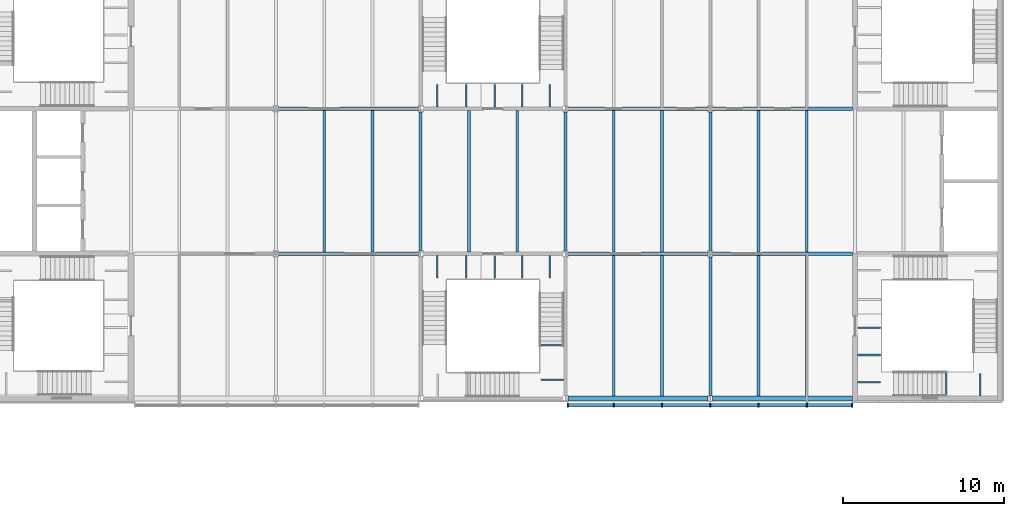
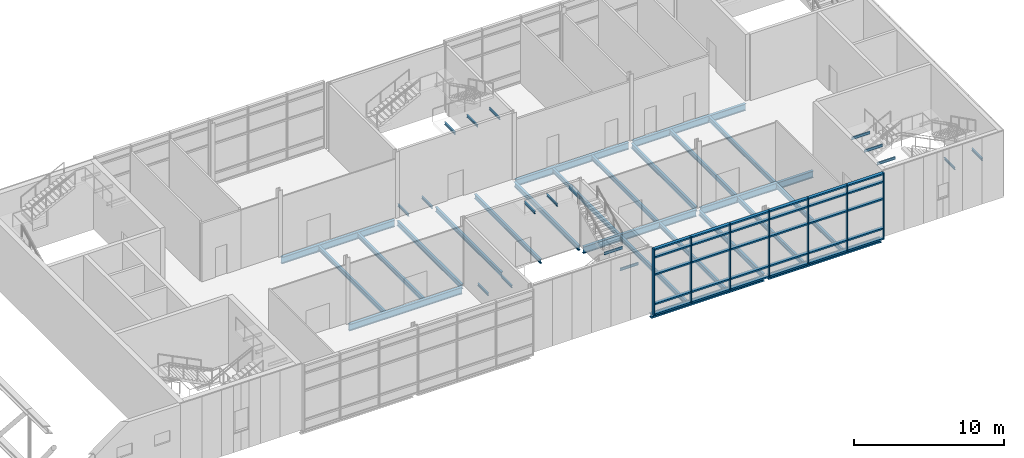
# One storey, part 25 of 53: 41 beams, 37 members, 1 element without a shape of its own.
"""IFC4 building model written with IfcOpenShell, lengths in metres."""

from ifc_helpers import new_model, si_unit, direction, frame, origin, origin_2d, place, context, subcontext, project, spatial, rectangle, i_section, extrude, material, material_profile, profile_set, type_object, element, aggregate, save


model = new_model("IFC4")

# Units and contexts
model_context = context("Model", 3, precision=1e-05, world=origin(), true_north=direction((0.0, 1.0)))
body_context = subcontext(model_context, "Body", "Model", "MODEL_VIEW")
ifc_project = project(units=[si_unit("LENGTHUNIT", "METRE"), si_unit("AREAUNIT", "SQUARE_METRE"), si_unit("VOLUMEUNIT", "CUBIC_METRE"), si_unit("PLANEANGLEUNIT", "RADIAN"), si_unit("MASSUNIT", "GRAM", prefix="KILO")], contexts=[model_context])

# Site, building, storey
site_placement = place(None, origin())
site = spatial("IfcSite", under=ifc_project, at=site_placement, CompositionType="ELEMENT")
building_placement = place(site_placement, origin())
building = spatial("IfcBuilding", under=site, at=building_placement, Name="Azimuth Sports and Learning Centre", CompositionType="ELEMENT")
storey_placement = place(building_placement, frame((0.0, 0.0, 10.800048828125)))
storey = spatial("IfcBuildingStorey", under=building, at=storey_placement, Name="L02", CompositionType="ELEMENT", Elevation=10.800048828125)

# Beams
ifc_material_1 = material(Name="Steel S355", Category="steel")
ifc_material_profile_1 = material_profile(ifc_material_1, i_section(OverallWidth=0.10009765625, OverallDepth=0.199951171875, WebThickness=0.005615234375, FlangeThickness=0.008544921875, FilletRadius=0.011962890625, at=origin_2d()), Name="IPE 200")
ifc_profile_set_1 = profile_set([ifc_material_profile_1], Name="Steel S355")
beam_type_1 = type_object("IfcBeamType", Name="Beam IPE 200", PredefinedType="BEAM", material=ifc_profile_set_1)
for number, where, z_axis, x_axis, name in (
    (1, (167.652587890625, 90.14990234375, 3.300048828125), (0.0, 1.0, 0.0), (-1.0, 0.0, 0.0), "Landing bracket EW1 L02 801"),
    (2, (169.777587890625, 90.14990234375, 3.300048828125), (0.0, 1.0, 0.0), (-1.0, 0.0, 0.0), "Landing bracket EW1 L02 802"),
    (3, (162.14990234375, 91.00830078125, 5.099853515625), (1.0, 0.0, 0.0), (0.0, 1.0, 0.0), "Landing bracket EW1 L02 803"),
    (4, (162.14990234375, 92.705078125, 5.099853515625), (1.0, 0.0, 0.0), (0.0, 1.0, 0.0), "Landing bracket EW1 L02 804"),
    (5, (162.14990234375, 94.401611328125, 5.099853515625), (1.0, 0.0, 0.0), (0.0, 1.0, 0.0), "Landing bracket EW1 L02 805"),
):
    element("IfcBeam", number, at=place(storey_placement, frame(where, z_axis=z_axis, x_axis=x_axis)), inside=storey, type_object=beam_type_1, Name=name, PredefinedType="BEAM", context=body_context, shape_type="SweptSolid", body=[
        extrude(i_section(OverallWidth=0.10009765625, OverallDepth=0.199951171875, WebThickness=0.005615234375, FlangeThickness=0.008544921875, FilletRadius=0.011962890625, at=origin_2d()), origin(), (0.0, 0.0, 1.0), 1.41015625),
    ])
for number, where, z_axis, x_axis, name in (
    (6, (136.02001953125, 98.89990234375, -0.300048828125), (0.0, -1.0, 0.0), (1.0, 0.0, 0.0), "Landing bracket EM1 L02 933"),
    (7, (137.840087890625, 98.89990234375, -0.300048828125), (0.0, -1.0, 0.0), (1.0, 0.0, 0.0), "Landing bracket EM1 L02 934"),
    (8, (143.89990234375, 91.172607421875, 3.300048828125), (-1.0, 0.0, 0.0), (0.0, -1.0, 0.0), "Landing bracket EM1 L02 937"),
    (9, (143.89990234375, 93.297607421875, 3.300048828125), (-1.0, 0.0, 0.0), (0.0, -1.0, 0.0), "Landing bracket EM1 L02 938"),
    (10, (139.606689453125, 98.89990234375, 5.099853515625), (0.0, -1.0, 0.0), (1.0, 0.0, 0.0), "Landing bracket EM1 L02 939"),
    (11, (141.320068359375, 98.89990234375, 5.099853515625), (0.0, -1.0, 0.0), (1.0, 0.0, 0.0), "Landing bracket EM1 L02 940"),
    (12, (143.033447265625, 98.89990234375, 5.099853515625), (0.0, -1.0, 0.0), (1.0, 0.0, 0.0), "Landing bracket EM1 L02 941"),
    (13, (136.02001953125, 108.10009765625, -0.300048828125), (0.0, 1.0, 0.0), (-1.0, 0.0, 0.0), "Landing bracket EM2 L02 967"),
    (14, (137.840087890625, 108.10009765625, -0.300048828125), (0.0, 1.0, 0.0), (-1.0, 0.0, 0.0), "Landing bracket EM2 L02 968"),
    (15, (139.606689453125, 108.10009765625, 5.099853515625), (0.0, 1.0, 0.0), (-1.0, 0.0, 0.0), "Landing bracket EM2 L02 973"),
    (16, (141.320068359375, 108.10009765625, 5.099853515625), (0.0, 1.0, 0.0), (-1.0, 0.0, 0.0), "Landing bracket EM2 L02 974"),
    (17, (143.033447265625, 108.10009765625, 5.099853515625), (0.0, 1.0, 0.0), (-1.0, 0.0, 0.0), "Landing bracket EM2 L02 975"),
):
    element("IfcBeam", number, at=place(storey_placement, frame(where, z_axis=z_axis, x_axis=x_axis)), inside=storey, type_object=beam_type_1, Name=name, PredefinedType="BEAM", context=body_context, shape_type="SweptSolid", body=[
        extrude(i_section(OverallWidth=0.10009765625, OverallDepth=0.199951171875, WebThickness=0.005615234375, FlangeThickness=0.008544921875, FilletRadius=0.011962890625, at=origin_2d()), origin(), (0.0, 0.0, 1.0), 1.409912109375),
    ])
ifc_material_2 = material(Name="Steel S355", Category="steel")
ifc_material_profile_2 = material_profile(ifc_material_2, i_section(OverallWidth=0.179931640625, OverallDepth=0.39990234375, WebThickness=0.008544921875, FlangeThickness=0.013427734375, FilletRadius=0.02099609375, at=origin_2d()), Name="IPE 400")
ifc_profile_set_2 = profile_set([ifc_material_profile_2], Name="Steel S355")
beam_type_2 = type_object("IfcBeamType", Name="Beam IPE 400", PredefinedType="BEAM", material=ifc_profile_set_2)
for number, where, z_axis, x_axis, name in (
    (18, (135.0, 99.199951171875, -0.35009765625), (0.0, 1.0, 0.0), (-1.0, 0.0, 0.0), "Beam L02 WE 21"),
    (19, (144.0, 99.199951171875, -0.35009765625), (0.0, 1.0, 0.0), (-1.0, 0.0, 0.0), "Beam L02 WE 22"),
    (20, (153.0, 90.199951171875, -0.35009765625), (0.0, 1.0, 0.0), (-1.0, 0.0, 0.0), "Beam L02 WE 23"),
    (21, (153.0, 99.199951171875, -0.35009765625), (0.0, 1.0, 0.0), (-1.0, 0.0, 0.0), "Beam L02 WE 24"),
):
    element("IfcBeam", number, at=place(storey_placement, frame(where, z_axis=z_axis, x_axis=x_axis)), inside=storey, type_object=beam_type_2, Name=name, PredefinedType="BEAM", context=body_context, shape_type="SweptSolid", body=[
        extrude(i_section(OverallWidth=0.179931640625, OverallDepth=0.39990234375, WebThickness=0.008544921875, FlangeThickness=0.013427734375, FilletRadius=0.02099609375, at=origin_2d()), origin(), (0.0, 0.0, 1.0), 8.60009765625),
    ])
ifc_material_3 = material(Name="Steel S355", Category="steel")
ifc_material_profile_3 = material_profile(ifc_material_3, i_section(OverallWidth=0.2099609375, OverallDepth=0.550048828125, WebThickness=0.010986328125, FlangeThickness=0.01708984375, FilletRadius=0.02392578125, at=origin_2d()), Name="IPE 550")
ifc_profile_set_3 = profile_set([ifc_material_profile_3], Name="Steel S355")
beam_type_3 = type_object("IfcBeamType", Name="Beam IPE 550", PredefinedType="BEAM", material=ifc_profile_set_3)
for number, where, z_axis, x_axis, name in (
    (22, (126.14990234375, 99.0, -0.425048828125), (1.0, 0.0, 0.0), (0.0, 1.0, 0.0), "Beam L02 WE 6"),
    (23, (144.14990234375, 99.0, -0.425048828125), (1.0, 0.0, 0.0), (0.0, 1.0, 0.0), "Beam L02 WE 7"),
    (24, (153.14990234375, 99.0, -0.425048828125), (1.0, 0.0, 0.0), (0.0, 1.0, 0.0), "Beam L02 WE 8"),
    (25, (126.14990234375, 108.0, -0.425048828125), (1.0, 0.0, 0.0), (0.0, 1.0, 0.0), "Beam L02 WE 10"),
    (26, (144.14990234375, 108.0, -0.425048828125), (1.0, 0.0, 0.0), (0.0, 1.0, 0.0), "Beam L02 WE 11"),
    (27, (153.14990234375, 108.0, -0.425048828125), (1.0, 0.0, 0.0), (0.0, 1.0, 0.0), "Beam L02 WE 12"),
):
    element("IfcBeam", number, at=place(storey_placement, frame(where, z_axis=z_axis, x_axis=x_axis)), inside=storey, type_object=beam_type_3, Name=name, PredefinedType="BEAM", context=body_context, shape_type="SweptSolid", body=[
        extrude(i_section(OverallWidth=0.2099609375, OverallDepth=0.550048828125, WebThickness=0.010986328125, FlangeThickness=0.01708984375, FilletRadius=0.02392578125, at=origin_2d()), origin(), (0.0, 0.0, 1.0), 8.7001953125),
    ])
ifc_material_4 = material(Name="Steel S355", Category="steel")
ifc_material_profile_4 = material_profile(ifc_material_4, i_section(OverallWidth=0.300048828125, OverallDepth=0.330078125, WebThickness=0.009521484375, FlangeThickness=0.0166015625, FilletRadius=0.027099609375, at=origin_2d()), Name="HEA 340")
ifc_profile_set_4 = profile_set([ifc_material_profile_4], Name="Steel S355")
beam_type_4 = type_object("IfcBeamType", Name="Edge beam HEA 340", PredefinedType="SPANDREL", material=ifc_profile_set_4)
for number, where, z_axis, x_axis, name in (
    (28, (144.14990234375, 90.0, -0.31494140625), (1.0, 0.0, 0.0), (0.0, 1.0, 0.0), "Edge beam L02 WE 3"),
    (29, (153.14990234375, 90.0, -0.31494140625), (1.0, 0.0, 0.0), (0.0, 1.0, 0.0), "Edge beam L02 WE 4"),
):
    element("IfcBeam", number, at=place(storey_placement, frame(where, z_axis=z_axis, x_axis=x_axis)), inside=storey, type_object=beam_type_4, Name=name, PredefinedType="SPANDREL", context=body_context, shape_type="SweptSolid", body=[
        extrude(i_section(OverallWidth=0.300048828125, OverallDepth=0.330078125, WebThickness=0.009521484375, FlangeThickness=0.0166015625, FilletRadius=0.027099609375, at=origin_2d()), origin(), (0.0, 0.0, 1.0), 8.7001953125),
    ])
ifc_material_5 = material(Name="Steel S355", Category="steel")
ifc_material_profile_5 = material_profile(ifc_material_5, i_section(OverallWidth=0.169921875, OverallDepth=0.360107421875, WebThickness=0.008056640625, FlangeThickness=0.0126953125, FilletRadius=0.01806640625, at=origin_2d()), Name="IPE 360")
ifc_profile_set_5 = profile_set([ifc_material_profile_5], Name="Steel S355")
beam_type_5 = type_object("IfcBeamType", Name="Joist IPE 360", PredefinedType="JOIST", material=ifc_profile_set_5)
for number, where, z_axis, x_axis, name in (
    (30, (129.0, 99.10498046875, -0.330078125), (0.0, 1.0, 0.0), (-1.0, 0.0, 0.0), "Joist L02 WE 34"),
    (31, (132.0, 99.10498046875, -0.330078125), (0.0, 1.0, 0.0), (-1.0, 0.0, 0.0), "Joist L02 WE 37"),
):
    element("IfcBeam", number, at=place(storey_placement, frame(where, z_axis=z_axis, x_axis=x_axis)), inside=storey, type_object=beam_type_5, Name=name, PredefinedType="JOIST", context=body_context, shape_type="SweptSolid", body=[
        extrude(i_section(OverallWidth=0.169921875, OverallDepth=0.360107421875, WebThickness=0.008056640625, FlangeThickness=0.0126953125, FilletRadius=0.01806640625, at=origin_2d()), origin(), (0.0, 0.0, 1.0), 8.7900390625),
    ])
for number, where, z_axis, x_axis, name in (
    (32, (138.0, 99.10009765625, -0.330078125), (0.0, 1.0, 0.0), (-1.0, 0.0, 0.0), "Joist L02 WE 39"),
    (33, (141.0, 99.10009765625, -0.330078125), (0.0, 1.0, 0.0), (-1.0, 0.0, 0.0), "Joist L02 WE 40"),
):
    element("IfcBeam", number, at=place(storey_placement, frame(where, z_axis=z_axis, x_axis=x_axis)), inside=storey, type_object=beam_type_5, Name=name, PredefinedType="JOIST", context=body_context, shape_type="SweptSolid", body=[
        extrude(i_section(OverallWidth=0.169921875, OverallDepth=0.360107421875, WebThickness=0.008056640625, FlangeThickness=0.0126953125, FilletRadius=0.01806640625, at=origin_2d()), origin(), (0.0, 0.0, 1.0), 8.7998046875),
    ])
beam_1_placement = place(storey_placement, frame((147.0, 90.14990234375, -0.330078125), z_axis=(0.0, 1.0, 0.0), x_axis=(-1.0, 0.0, 0.0)))
element("IfcBeam", 34, at=beam_1_placement, inside=storey, type_object=beam_type_5, Name="Joist L02 WE 41", PredefinedType="JOIST", context=body_context, shape_type="SweptSolid", body=[
    extrude(i_section(OverallWidth=0.169921875, OverallDepth=0.360107421875, WebThickness=0.008056640625, FlangeThickness=0.0126953125, FilletRadius=0.01806640625, at=origin_2d()), origin(), (0.0, 0.0, 1.0), 8.7451171875),
])
beam_2_placement = place(storey_placement, frame((147.0, 99.10498046875, -0.330078125), z_axis=(0.0, 1.0, 0.0), x_axis=(-1.0, 0.0, 0.0)))
element("IfcBeam", 35, at=beam_2_placement, inside=storey, type_object=beam_type_5, Name="Joist L02 WE 42", PredefinedType="JOIST", context=body_context, shape_type="SweptSolid", body=[
    extrude(i_section(OverallWidth=0.169921875, OverallDepth=0.360107421875, WebThickness=0.008056640625, FlangeThickness=0.0126953125, FilletRadius=0.01806640625, at=origin_2d()), origin(), (0.0, 0.0, 1.0), 8.7900390625),
])
beam_3_placement = place(storey_placement, frame((150.0, 90.14990234375, -0.330078125), z_axis=(0.0, 1.0, 0.0), x_axis=(-1.0, 0.0, 0.0)))
element("IfcBeam", 36, at=beam_3_placement, inside=storey, type_object=beam_type_5, Name="Joist L02 WE 44", PredefinedType="JOIST", context=body_context, shape_type="SweptSolid", body=[
    extrude(i_section(OverallWidth=0.169921875, OverallDepth=0.360107421875, WebThickness=0.008056640625, FlangeThickness=0.0126953125, FilletRadius=0.01806640625, at=origin_2d()), origin(), (0.0, 0.0, 1.0), 8.7451171875),
])
beam_4_placement = place(storey_placement, frame((150.0, 99.10498046875, -0.330078125), z_axis=(0.0, 1.0, 0.0), x_axis=(-1.0, 0.0, 0.0)))
element("IfcBeam", 37, at=beam_4_placement, inside=storey, type_object=beam_type_5, Name="Joist L02 WE 45", PredefinedType="JOIST", context=body_context, shape_type="SweptSolid", body=[
    extrude(i_section(OverallWidth=0.169921875, OverallDepth=0.360107421875, WebThickness=0.008056640625, FlangeThickness=0.0126953125, FilletRadius=0.01806640625, at=origin_2d()), origin(), (0.0, 0.0, 1.0), 8.7900390625),
])
beam_5_placement = place(storey_placement, frame((156.0, 90.14990234375, -0.330078125), z_axis=(0.0, 1.0, 0.0), x_axis=(-1.0, 0.0, 0.0)))
element("IfcBeam", 38, at=beam_5_placement, inside=storey, type_object=beam_type_5, Name="Joist L02 WE 47", PredefinedType="JOIST", context=body_context, shape_type="SweptSolid", body=[
    extrude(i_section(OverallWidth=0.169921875, OverallDepth=0.360107421875, WebThickness=0.008056640625, FlangeThickness=0.0126953125, FilletRadius=0.01806640625, at=origin_2d()), origin(), (0.0, 0.0, 1.0), 8.7451171875),
])
beam_6_placement = place(storey_placement, frame((156.0, 99.10498046875, -0.330078125), z_axis=(0.0, 1.0, 0.0), x_axis=(-1.0, 0.0, 0.0)))
element("IfcBeam", 39, at=beam_6_placement, inside=storey, type_object=beam_type_5, Name="Joist L02 WE 48", PredefinedType="JOIST", context=body_context, shape_type="SweptSolid", body=[
    extrude(i_section(OverallWidth=0.169921875, OverallDepth=0.360107421875, WebThickness=0.008056640625, FlangeThickness=0.0126953125, FilletRadius=0.01806640625, at=origin_2d()), origin(), (0.0, 0.0, 1.0), 8.7900390625),
])
beam_7_placement = place(storey_placement, frame((159.0, 90.14990234375, -0.330078125), z_axis=(0.0, 1.0, 0.0), x_axis=(-1.0, 0.0, 0.0)))
element("IfcBeam", 40, at=beam_7_placement, inside=storey, type_object=beam_type_5, Name="Joist L02 WE 50", PredefinedType="JOIST", context=body_context, shape_type="SweptSolid", body=[
    extrude(i_section(OverallWidth=0.169921875, OverallDepth=0.360107421875, WebThickness=0.008056640625, FlangeThickness=0.0126953125, FilletRadius=0.01806640625, at=origin_2d()), origin(), (0.0, 0.0, 1.0), 8.7451171875),
])
beam_8_placement = place(storey_placement, frame((159.0, 99.10498046875, -0.330078125), z_axis=(0.0, 1.0, 0.0), x_axis=(-1.0, 0.0, 0.0)))
element("IfcBeam", 41, at=beam_8_placement, inside=storey, type_object=beam_type_5, Name="Joist L02 WE 51", PredefinedType="JOIST", context=body_context, shape_type="SweptSolid", body=[
    extrude(i_section(OverallWidth=0.169921875, OverallDepth=0.360107421875, WebThickness=0.008056640625, FlangeThickness=0.0126953125, FilletRadius=0.01806640625, at=origin_2d()), origin(), (0.0, 0.0, 1.0), 8.7900390625),
])

# Curtain wall, members
ifc_material_6 = material(Name="Aluminium and glass", Category="aluminium")
curtain_wall_type = type_object("IfcCurtainWallType", Name="Curtain wall podium wing 240", PredefinedType="NOTDEFINED", material=ifc_material_6)
curtain_wall_placement = place(storey_placement, origin())
curtain_wall = element("IfcCurtainWall", 42, at=curtain_wall_placement, inside=storey, type_object=curtain_wall_type, Name="Curtain wall CW02-010", PredefinedType="NOTDEFINED")
ifc_material_7 = material(Name="Aluminium", Category="aluminium")
ifc_material_profile_6 = material_profile(ifc_material_7, rectangle(XDim=0.239990234375, YDim=0.080078125, at=origin_2d()), Name="Mullion 80x240")
ifc_profile_set_6 = profile_set([ifc_material_profile_6], Name="Aluminium")
member_type_1 = type_object("IfcMemberType", Name="Mullion 80x240", PredefinedType="MULLION", material=ifc_profile_set_6)
member_1_placement = place(storey_placement, frame((144.139892578125, 89.580078125, 0.0), z_axis=(0.0, 0.0, 1.0), x_axis=(0.0, 1.0, 0.0)))
member_1 = element("IfcMember", 43, at=member_1_placement, type_object=member_type_1, Name="CW02-010 mullion 1", PredefinedType="MULLION", context=body_context, shape_type="SweptSolid", body=[
    extrude(rectangle(XDim=0.239990234375, YDim=0.080078125, at=origin_2d()), origin(), (0.0, 0.0, 1.0), 5.39990234375),
])
member_2_placement = place(storey_placement, frame((147.0, 89.580078125, 0.0), z_axis=(0.0, 0.0, 1.0), x_axis=(0.0, 1.0, 0.0)))
member_2 = element("IfcMember", 44, at=member_2_placement, type_object=member_type_1, Name="CW02-010 mullion 2", PredefinedType="MULLION", context=body_context, shape_type="SweptSolid", body=[
    extrude(rectangle(XDim=0.239990234375, YDim=0.080078125, at=origin_2d()), origin(), (0.0, 0.0, 1.0), 5.39990234375),
])
member_3_placement = place(storey_placement, frame((150.0, 89.580078125, 0.0), z_axis=(0.0, 0.0, 1.0), x_axis=(0.0, 1.0, 0.0)))
member_3 = element("IfcMember", 45, at=member_3_placement, type_object=member_type_1, Name="CW02-010 mullion 3", PredefinedType="MULLION", context=body_context, shape_type="SweptSolid", body=[
    extrude(rectangle(XDim=0.239990234375, YDim=0.080078125, at=origin_2d()), origin(), (0.0, 0.0, 1.0), 5.39990234375),
])
member_4_placement = place(storey_placement, frame((153.0, 89.580078125, 0.0), z_axis=(0.0, 0.0, 1.0), x_axis=(0.0, 1.0, 0.0)))
member_4 = element("IfcMember", 46, at=member_4_placement, type_object=member_type_1, Name="CW02-010 mullion 4", PredefinedType="MULLION", context=body_context, shape_type="SweptSolid", body=[
    extrude(rectangle(XDim=0.239990234375, YDim=0.080078125, at=origin_2d()), origin(), (0.0, 0.0, 1.0), 5.39990234375),
])
member_5_placement = place(storey_placement, frame((156.0, 89.580078125, 0.0), z_axis=(0.0, 0.0, 1.0), x_axis=(0.0, 1.0, 0.0)))
member_5 = element("IfcMember", 47, at=member_5_placement, type_object=member_type_1, Name="CW02-010 mullion 5", PredefinedType="MULLION", context=body_context, shape_type="SweptSolid", body=[
    extrude(rectangle(XDim=0.239990234375, YDim=0.080078125, at=origin_2d()), origin(), (0.0, 0.0, 1.0), 5.39990234375),
])
member_6_placement = place(storey_placement, frame((159.0, 89.580078125, 0.0), z_axis=(0.0, 0.0, 1.0), x_axis=(0.0, 1.0, 0.0)))
member_6 = element("IfcMember", 48, at=member_6_placement, type_object=member_type_1, Name="CW02-010 mullion 6", PredefinedType="MULLION", context=body_context, shape_type="SweptSolid", body=[
    extrude(rectangle(XDim=0.239990234375, YDim=0.080078125, at=origin_2d()), origin(), (0.0, 0.0, 1.0), 5.39990234375),
])
member_7_placement = place(storey_placement, frame((161.81005859375, 89.580078125, 0.0), z_axis=(0.0, 0.0, 1.0), x_axis=(0.0, 1.0, 0.0)))
member_7 = element("IfcMember", 49, at=member_7_placement, type_object=member_type_1, Name="CW02-010 mullion 7", PredefinedType="MULLION", context=body_context, shape_type="SweptSolid", body=[
    extrude(rectangle(XDim=0.239990234375, YDim=0.080078125, at=origin_2d()), origin(), (0.0, 0.0, 1.0), 5.39990234375),
])
ifc_material_8 = material(Name="Aluminium", Category="aluminium")
ifc_material_profile_7 = material_profile(ifc_material_8, rectangle(XDim=0.239990234375, YDim=0.1201171875, at=origin_2d()), Name="Transom 120x240")
ifc_profile_set_7 = profile_set([ifc_material_profile_7], Name="Aluminium")
member_type_2 = type_object("IfcMemberType", Name="Transom 120x240", PredefinedType="USERDEFINED", material=ifc_profile_set_7)
member_8_placement = place(storey_placement, frame((144.179931640625, 89.580078125, 0.06005859375), z_axis=(1.0, 0.0, 0.0), x_axis=(0.0, 1.0, 0.0)))
member_8 = element("IfcMember", 50, at=member_8_placement, type_object=member_type_2, Name="CW02-010 transom 1.1", ObjectType="TRANSOM", PredefinedType="USERDEFINED", context=body_context, shape_type="SweptSolid", body=[
    extrude(rectangle(XDim=0.239990234375, YDim=0.1201171875, at=origin_2d()), origin(), (0.0, 0.0, 1.0), 2.780029296875),
])
member_9_placement = place(storey_placement, frame((144.179931640625, 89.580078125, 0.89990234375), z_axis=(1.0, 0.0, 0.0), x_axis=(0.0, 1.0, 0.0)))
member_9 = element("IfcMember", 51, at=member_9_placement, type_object=member_type_2, Name="CW02-010 transom 1.2", ObjectType="TRANSOM", PredefinedType="USERDEFINED", context=body_context, shape_type="SweptSolid", body=[
    extrude(rectangle(XDim=0.239990234375, YDim=0.1201171875, at=origin_2d()), origin(), (0.0, 0.0, 1.0), 2.780029296875),
])
member_10_placement = place(storey_placement, frame((144.179931640625, 89.580078125, 3.300048828125), z_axis=(1.0, 0.0, 0.0), x_axis=(0.0, 1.0, 0.0)))
member_10 = element("IfcMember", 52, at=member_10_placement, type_object=member_type_2, Name="CW02-010 transom 1.3", ObjectType="TRANSOM", PredefinedType="USERDEFINED", context=body_context, shape_type="SweptSolid", body=[
    extrude(rectangle(XDim=0.239990234375, YDim=0.1201171875, at=origin_2d()), origin(), (0.0, 0.0, 1.0), 2.780029296875),
])
member_11_placement = place(storey_placement, frame((144.179931640625, 89.580078125, 4.699951171875), z_axis=(1.0, 0.0, 0.0), x_axis=(0.0, 1.0, 0.0)))
member_11 = element("IfcMember", 53, at=member_11_placement, type_object=member_type_2, Name="CW02-010 transom 1.4", ObjectType="TRANSOM", PredefinedType="USERDEFINED", context=body_context, shape_type="SweptSolid", body=[
    extrude(rectangle(XDim=0.239990234375, YDim=0.1201171875, at=origin_2d()), origin(), (0.0, 0.0, 1.0), 2.780029296875),
])
member_12_placement = place(storey_placement, frame((144.179931640625, 89.580078125, 5.33984375), z_axis=(1.0, 0.0, 0.0), x_axis=(0.0, 1.0, 0.0)))
member_12 = element("IfcMember", 54, at=member_12_placement, type_object=member_type_2, Name="CW02-010 transom 1.5", ObjectType="TRANSOM", PredefinedType="USERDEFINED", context=body_context, shape_type="SweptSolid", body=[
    extrude(rectangle(XDim=0.239990234375, YDim=0.1201171875, at=origin_2d()), origin(), (0.0, 0.0, 1.0), 2.780029296875),
])
member_13_placement = place(storey_placement, frame((147.0400390625, 89.580078125, 0.06005859375), z_axis=(1.0, 0.0, 0.0), x_axis=(0.0, 1.0, 0.0)))
member_13 = element("IfcMember", 55, at=member_13_placement, type_object=member_type_2, Name="CW02-010 transom 2.1", ObjectType="TRANSOM", PredefinedType="USERDEFINED", context=body_context, shape_type="SweptSolid", body=[
    extrude(rectangle(XDim=0.239990234375, YDim=0.1201171875, at=origin_2d()), origin(), (0.0, 0.0, 1.0), 2.919921875),
])
member_14_placement = place(storey_placement, frame((147.0400390625, 89.580078125, 0.89990234375), z_axis=(1.0, 0.0, 0.0), x_axis=(0.0, 1.0, 0.0)))
member_14 = element("IfcMember", 56, at=member_14_placement, type_object=member_type_2, Name="CW02-010 transom 2.2", ObjectType="TRANSOM", PredefinedType="USERDEFINED", context=body_context, shape_type="SweptSolid", body=[
    extrude(rectangle(XDim=0.239990234375, YDim=0.1201171875, at=origin_2d()), origin(), (0.0, 0.0, 1.0), 2.919921875),
])
member_15_placement = place(storey_placement, frame((147.0400390625, 89.580078125, 3.300048828125), z_axis=(1.0, 0.0, 0.0), x_axis=(0.0, 1.0, 0.0)))
member_15 = element("IfcMember", 57, at=member_15_placement, type_object=member_type_2, Name="CW02-010 transom 2.3", ObjectType="TRANSOM", PredefinedType="USERDEFINED", context=body_context, shape_type="SweptSolid", body=[
    extrude(rectangle(XDim=0.239990234375, YDim=0.1201171875, at=origin_2d()), origin(), (0.0, 0.0, 1.0), 2.919921875),
])
member_16_placement = place(storey_placement, frame((147.0400390625, 89.580078125, 4.699951171875), z_axis=(1.0, 0.0, 0.0), x_axis=(0.0, 1.0, 0.0)))
member_16 = element("IfcMember", 58, at=member_16_placement, type_object=member_type_2, Name="CW02-010 transom 2.4", ObjectType="TRANSOM", PredefinedType="USERDEFINED", context=body_context, shape_type="SweptSolid", body=[
    extrude(rectangle(XDim=0.239990234375, YDim=0.1201171875, at=origin_2d()), origin(), (0.0, 0.0, 1.0), 2.919921875),
])
member_17_placement = place(storey_placement, frame((147.0400390625, 89.580078125, 5.33984375), z_axis=(1.0, 0.0, 0.0), x_axis=(0.0, 1.0, 0.0)))
member_17 = element("IfcMember", 59, at=member_17_placement, type_object=member_type_2, Name="CW02-010 transom 2.5", ObjectType="TRANSOM", PredefinedType="USERDEFINED", context=body_context, shape_type="SweptSolid", body=[
    extrude(rectangle(XDim=0.239990234375, YDim=0.1201171875, at=origin_2d()), origin(), (0.0, 0.0, 1.0), 2.919921875),
])
member_18_placement = place(storey_placement, frame((150.0400390625, 89.580078125, 0.06005859375), z_axis=(1.0, 0.0, 0.0), x_axis=(0.0, 1.0, 0.0)))
member_18 = element("IfcMember", 60, at=member_18_placement, type_object=member_type_2, Name="CW02-010 transom 3.1", ObjectType="TRANSOM", PredefinedType="USERDEFINED", context=body_context, shape_type="SweptSolid", body=[
    extrude(rectangle(XDim=0.239990234375, YDim=0.1201171875, at=origin_2d()), origin(), (0.0, 0.0, 1.0), 2.919921875),
])
member_19_placement = place(storey_placement, frame((150.0400390625, 89.580078125, 0.89990234375), z_axis=(1.0, 0.0, 0.0), x_axis=(0.0, 1.0, 0.0)))
member_19 = element("IfcMember", 61, at=member_19_placement, type_object=member_type_2, Name="CW02-010 transom 3.2", ObjectType="TRANSOM", PredefinedType="USERDEFINED", context=body_context, shape_type="SweptSolid", body=[
    extrude(rectangle(XDim=0.239990234375, YDim=0.1201171875, at=origin_2d()), origin(), (0.0, 0.0, 1.0), 2.919921875),
])
member_20_placement = place(storey_placement, frame((150.0400390625, 89.580078125, 3.300048828125), z_axis=(1.0, 0.0, 0.0), x_axis=(0.0, 1.0, 0.0)))
member_20 = element("IfcMember", 62, at=member_20_placement, type_object=member_type_2, Name="CW02-010 transom 3.3", ObjectType="TRANSOM", PredefinedType="USERDEFINED", context=body_context, shape_type="SweptSolid", body=[
    extrude(rectangle(XDim=0.239990234375, YDim=0.1201171875, at=origin_2d()), origin(), (0.0, 0.0, 1.0), 2.919921875),
])
member_21_placement = place(storey_placement, frame((150.0400390625, 89.580078125, 4.699951171875), z_axis=(1.0, 0.0, 0.0), x_axis=(0.0, 1.0, 0.0)))
member_21 = element("IfcMember", 63, at=member_21_placement, type_object=member_type_2, Name="CW02-010 transom 3.4", ObjectType="TRANSOM", PredefinedType="USERDEFINED", context=body_context, shape_type="SweptSolid", body=[
    extrude(rectangle(XDim=0.239990234375, YDim=0.1201171875, at=origin_2d()), origin(), (0.0, 0.0, 1.0), 2.919921875),
])
member_22_placement = place(storey_placement, frame((150.0400390625, 89.580078125, 5.33984375), z_axis=(1.0, 0.0, 0.0), x_axis=(0.0, 1.0, 0.0)))
member_22 = element("IfcMember", 64, at=member_22_placement, type_object=member_type_2, Name="CW02-010 transom 3.5", ObjectType="TRANSOM", PredefinedType="USERDEFINED", context=body_context, shape_type="SweptSolid", body=[
    extrude(rectangle(XDim=0.239990234375, YDim=0.1201171875, at=origin_2d()), origin(), (0.0, 0.0, 1.0), 2.919921875),
])
member_23_placement = place(storey_placement, frame((153.0400390625, 89.580078125, 0.06005859375), z_axis=(1.0, 0.0, 0.0), x_axis=(0.0, 1.0, 0.0)))
member_23 = element("IfcMember", 65, at=member_23_placement, type_object=member_type_2, Name="CW02-010 transom 4.1", ObjectType="TRANSOM", PredefinedType="USERDEFINED", context=body_context, shape_type="SweptSolid", body=[
    extrude(rectangle(XDim=0.239990234375, YDim=0.1201171875, at=origin_2d()), origin(), (0.0, 0.0, 1.0), 2.919921875),
])
member_24_placement = place(storey_placement, frame((153.0400390625, 89.580078125, 0.89990234375), z_axis=(1.0, 0.0, 0.0), x_axis=(0.0, 1.0, 0.0)))
member_24 = element("IfcMember", 66, at=member_24_placement, type_object=member_type_2, Name="CW02-010 transom 4.2", ObjectType="TRANSOM", PredefinedType="USERDEFINED", context=body_context, shape_type="SweptSolid", body=[
    extrude(rectangle(XDim=0.239990234375, YDim=0.1201171875, at=origin_2d()), origin(), (0.0, 0.0, 1.0), 2.919921875),
])
member_25_placement = place(storey_placement, frame((153.0400390625, 89.580078125, 3.300048828125), z_axis=(1.0, 0.0, 0.0), x_axis=(0.0, 1.0, 0.0)))
member_25 = element("IfcMember", 67, at=member_25_placement, type_object=member_type_2, Name="CW02-010 transom 4.3", ObjectType="TRANSOM", PredefinedType="USERDEFINED", context=body_context, shape_type="SweptSolid", body=[
    extrude(rectangle(XDim=0.239990234375, YDim=0.1201171875, at=origin_2d()), origin(), (0.0, 0.0, 1.0), 2.919921875),
])
member_26_placement = place(storey_placement, frame((153.0400390625, 89.580078125, 4.699951171875), z_axis=(1.0, 0.0, 0.0), x_axis=(0.0, 1.0, 0.0)))
member_26 = element("IfcMember", 68, at=member_26_placement, type_object=member_type_2, Name="CW02-010 transom 4.4", ObjectType="TRANSOM", PredefinedType="USERDEFINED", context=body_context, shape_type="SweptSolid", body=[
    extrude(rectangle(XDim=0.239990234375, YDim=0.1201171875, at=origin_2d()), origin(), (0.0, 0.0, 1.0), 2.919921875),
])
member_27_placement = place(storey_placement, frame((153.0400390625, 89.580078125, 5.33984375), z_axis=(1.0, 0.0, 0.0), x_axis=(0.0, 1.0, 0.0)))
member_27 = element("IfcMember", 69, at=member_27_placement, type_object=member_type_2, Name="CW02-010 transom 4.5", ObjectType="TRANSOM", PredefinedType="USERDEFINED", context=body_context, shape_type="SweptSolid", body=[
    extrude(rectangle(XDim=0.239990234375, YDim=0.1201171875, at=origin_2d()), origin(), (0.0, 0.0, 1.0), 2.919921875),
])
member_28_placement = place(storey_placement, frame((156.0400390625, 89.580078125, 0.06005859375), z_axis=(1.0, 0.0, 0.0), x_axis=(0.0, 1.0, 0.0)))
member_28 = element("IfcMember", 70, at=member_28_placement, type_object=member_type_2, Name="CW02-010 transom 5.1", ObjectType="TRANSOM", PredefinedType="USERDEFINED", context=body_context, shape_type="SweptSolid", body=[
    extrude(rectangle(XDim=0.239990234375, YDim=0.1201171875, at=origin_2d()), origin(), (0.0, 0.0, 1.0), 2.919921875),
])
member_29_placement = place(storey_placement, frame((156.0400390625, 89.580078125, 0.89990234375), z_axis=(1.0, 0.0, 0.0), x_axis=(0.0, 1.0, 0.0)))
member_29 = element("IfcMember", 71, at=member_29_placement, type_object=member_type_2, Name="CW02-010 transom 5.2", ObjectType="TRANSOM", PredefinedType="USERDEFINED", context=body_context, shape_type="SweptSolid", body=[
    extrude(rectangle(XDim=0.239990234375, YDim=0.1201171875, at=origin_2d()), origin(), (0.0, 0.0, 1.0), 2.919921875),
])
member_30_placement = place(storey_placement, frame((156.0400390625, 89.580078125, 3.300048828125), z_axis=(1.0, 0.0, 0.0), x_axis=(0.0, 1.0, 0.0)))
member_30 = element("IfcMember", 72, at=member_30_placement, type_object=member_type_2, Name="CW02-010 transom 5.3", ObjectType="TRANSOM", PredefinedType="USERDEFINED", context=body_context, shape_type="SweptSolid", body=[
    extrude(rectangle(XDim=0.239990234375, YDim=0.1201171875, at=origin_2d()), origin(), (0.0, 0.0, 1.0), 2.919921875),
])
member_31_placement = place(storey_placement, frame((156.0400390625, 89.580078125, 4.699951171875), z_axis=(1.0, 0.0, 0.0), x_axis=(0.0, 1.0, 0.0)))
member_31 = element("IfcMember", 73, at=member_31_placement, type_object=member_type_2, Name="CW02-010 transom 5.4", ObjectType="TRANSOM", PredefinedType="USERDEFINED", context=body_context, shape_type="SweptSolid", body=[
    extrude(rectangle(XDim=0.239990234375, YDim=0.1201171875, at=origin_2d()), origin(), (0.0, 0.0, 1.0), 2.919921875),
])
member_32_placement = place(storey_placement, frame((156.0400390625, 89.580078125, 5.33984375), z_axis=(1.0, 0.0, 0.0), x_axis=(0.0, 1.0, 0.0)))
member_32 = element("IfcMember", 74, at=member_32_placement, type_object=member_type_2, Name="CW02-010 transom 5.5", ObjectType="TRANSOM", PredefinedType="USERDEFINED", context=body_context, shape_type="SweptSolid", body=[
    extrude(rectangle(XDim=0.239990234375, YDim=0.1201171875, at=origin_2d()), origin(), (0.0, 0.0, 1.0), 2.919921875),
])
member_33_placement = place(storey_placement, frame((159.0400390625, 89.580078125, 0.06005859375), z_axis=(1.0, 0.0, 0.0), x_axis=(0.0, 1.0, 0.0)))
member_33 = element("IfcMember", 75, at=member_33_placement, type_object=member_type_2, Name="CW02-010 transom 6.1", ObjectType="TRANSOM", PredefinedType="USERDEFINED", context=body_context, shape_type="SweptSolid", body=[
    extrude(rectangle(XDim=0.239990234375, YDim=0.1201171875, at=origin_2d()), origin(), (0.0, 0.0, 1.0), 2.72998046875),
])
member_34_placement = place(storey_placement, frame((159.0400390625, 89.580078125, 0.89990234375), z_axis=(1.0, 0.0, 0.0), x_axis=(0.0, 1.0, 0.0)))
member_34 = element("IfcMember", 76, at=member_34_placement, type_object=member_type_2, Name="CW02-010 transom 6.2", ObjectType="TRANSOM", PredefinedType="USERDEFINED", context=body_context, shape_type="SweptSolid", body=[
    extrude(rectangle(XDim=0.239990234375, YDim=0.1201171875, at=origin_2d()), origin(), (0.0, 0.0, 1.0), 2.72998046875),
])
member_35_placement = place(storey_placement, frame((159.0400390625, 89.580078125, 3.300048828125), z_axis=(1.0, 0.0, 0.0), x_axis=(0.0, 1.0, 0.0)))
member_35 = element("IfcMember", 77, at=member_35_placement, type_object=member_type_2, Name="CW02-010 transom 6.3", ObjectType="TRANSOM", PredefinedType="USERDEFINED", context=body_context, shape_type="SweptSolid", body=[
    extrude(rectangle(XDim=0.239990234375, YDim=0.1201171875, at=origin_2d()), origin(), (0.0, 0.0, 1.0), 2.72998046875),
])
member_36_placement = place(storey_placement, frame((159.0400390625, 89.580078125, 4.699951171875), z_axis=(1.0, 0.0, 0.0), x_axis=(0.0, 1.0, 0.0)))
member_36 = element("IfcMember", 78, at=member_36_placement, type_object=member_type_2, Name="CW02-010 transom 6.4", ObjectType="TRANSOM", PredefinedType="USERDEFINED", context=body_context, shape_type="SweptSolid", body=[
    extrude(rectangle(XDim=0.239990234375, YDim=0.1201171875, at=origin_2d()), origin(), (0.0, 0.0, 1.0), 2.72998046875),
])
member_37_placement = place(storey_placement, frame((159.0400390625, 89.580078125, 5.33984375), z_axis=(1.0, 0.0, 0.0), x_axis=(0.0, 1.0, 0.0)))
member_37 = element("IfcMember", 79, at=member_37_placement, type_object=member_type_2, Name="CW02-010 transom 6.5", ObjectType="TRANSOM", PredefinedType="USERDEFINED", context=body_context, shape_type="SweptSolid", body=[
    extrude(rectangle(XDim=0.239990234375, YDim=0.1201171875, at=origin_2d()), origin(), (0.0, 0.0, 1.0), 2.72998046875),
])
aggregate(curtain_wall, [member_1, member_2, member_3, member_4, member_5, member_6, member_7, member_8, member_9, member_10, member_11, member_12, member_13, member_14, member_15, member_16, member_17, member_18, member_19, member_20, member_21, member_22, member_23, member_24, member_25, member_26, member_27, member_28, member_29, member_30, member_31, member_32, member_33, member_34, member_35, member_36, member_37])

save(model, "model.ifc")
